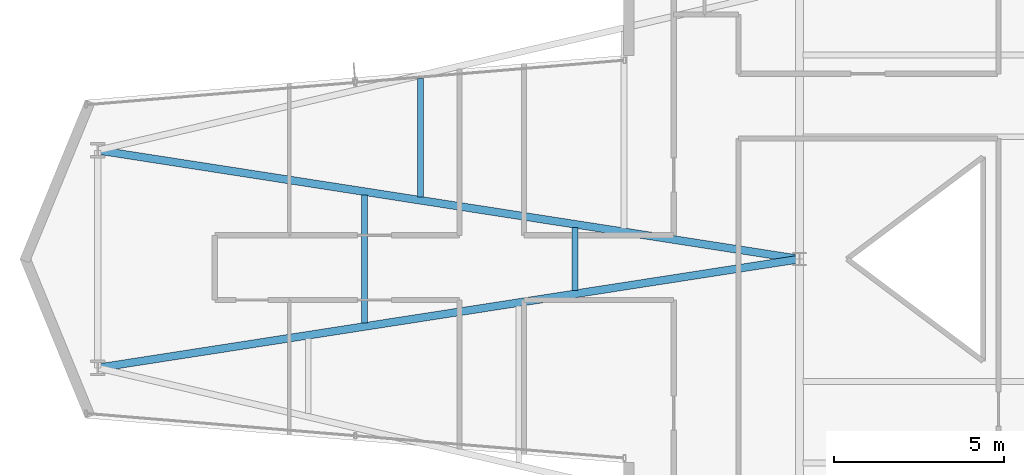
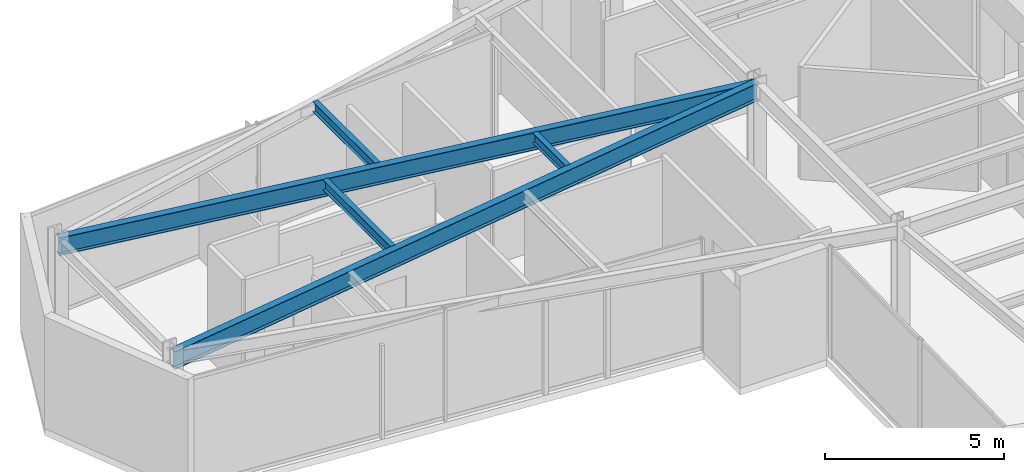
# One storey, part 7 of 25: 5 beams.
"""IFC4 building model written with IfcOpenShell, lengths in metres."""

from ifc_helpers import new_model, si_unit, direction, frame, origin, origin_2d, place, context, subcontext, project, spatial, i_section, extrude, material, material_profile, profile_set, type_object, element, save


model = new_model("IFC4")

# Units and contexts
model_context = context("Model", 3, precision=1e-05, world=origin(), true_north=direction((0.0, 1.0)))
body_context = subcontext(model_context, "Body", "Model", "MODEL_VIEW")
ifc_project = project(units=[si_unit("LENGTHUNIT", "METRE"), si_unit("AREAUNIT", "SQUARE_METRE"), si_unit("VOLUMEUNIT", "CUBIC_METRE"), si_unit("PLANEANGLEUNIT", "RADIAN"), si_unit("MASSUNIT", "GRAM", prefix="KILO")], contexts=[model_context])

# Site, building, storey
site_placement = place(None, origin())
site = spatial("IfcSite", under=ifc_project, at=site_placement, CompositionType="ELEMENT")
building_placement = place(site_placement, origin())
building = spatial("IfcBuilding", under=site, at=building_placement, Name="Veymaron Broadcast Tower", CompositionType="ELEMENT")
storey_placement = place(building_placement, frame((0.0, 0.0, 116.85009765625)))
storey = spatial("IfcBuildingStorey", under=building, at=storey_placement, Name="L26", CompositionType="ELEMENT", Elevation=116.85009765625)

# Beams
ifc_material = material(Name="Structural steel ASTM A992 Gr 50", Category="steel")
ifc_material_profile_1 = material_profile(ifc_material, i_section(OverallWidth=0.22802734375, OverallDepth=0.60791015625, WebThickness=0.01123046875, FlangeThickness=0.017333984375, at=origin_2d()), Name="W610X113")
ifc_profile_set_1 = profile_set([ifc_material_profile_1], Name="Structural steel ASTM A992 Gr 50")
beam_type_1 = type_object("IfcBeamType", Name="BM-FG2", PredefinedType="BEAM", material=ifc_profile_set_1)
for number, where, z_axis, x_axis, name in (
    (1, (10.56005859375, 20.800048828125, 3.505859375), (0.988194140861, 0.15320685353, 0.0), (-0.15320685353, 0.988194140861, 0.0), "L26 primary structural floor girder"),
    (2, (10.56005859375, 27.199951171875, 3.505859375), (0.988194140861, -0.15320685353, 0.0), (0.15320685353, 0.988194140861, 0.0), "L26 primary structural floor girder"),
):
    element("IfcBeam", number, at=place(storey_placement, frame(where, z_axis=z_axis, x_axis=x_axis)), inside=storey, type_object=beam_type_1, Name=name, PredefinedType="BEAM", context=body_context, shape_type="SweptSolid", body=[
        extrude(i_section(OverallWidth=0.22802734375, OverallDepth=0.60791015625, WebThickness=0.01123046875, FlangeThickness=0.017333984375, at=origin_2d()), origin(), (0.0, 0.0, 1.0), 20.886474609375),
    ])
ifc_material_profile_2 = material_profile(ifc_material, i_section(OverallWidth=0.1708984375, OverallDepth=0.35498046875, WebThickness=0.007080078125, FlangeThickness=0.01171875, at=origin_2d()), Name="W360X51")
ifc_profile_set_2 = profile_set([ifc_material_profile_2], Name="Structural steel ASTM A992 Gr 50")
beam_type_2 = type_object("IfcBeamType", Name="BM-JS2", PredefinedType="JOIST", material=ifc_profile_set_2)
beam_1_placement = place(storey_placement, frame((18.4033203125, 22.115966796875, 3.63232421875), z_axis=(0.0, 1.0, 0.0), x_axis=(-1.0, 0.0, 0.0)))
element("IfcBeam", 3, at=beam_1_placement, inside=storey, type_object=beam_type_2, Name="L26 Arm-A secondary joist 1M", PredefinedType="JOIST", context=body_context, shape_type="SweptSolid", body=[
    extrude(i_section(OverallWidth=0.1708984375, OverallDepth=0.35498046875, WebThickness=0.007080078125, FlangeThickness=0.01171875, at=origin_2d()), origin(), (0.0, 0.0, 1.0), 3.76806640625),
])
beam_2_placement = place(storey_placement, frame((20.054443359375, 25.827880859375, 3.63232421875), z_axis=(0.0, 1.0, 0.0), x_axis=(-1.0, 0.0, 0.0)))
element("IfcBeam", 4, at=beam_2_placement, inside=storey, type_object=beam_type_2, Name="L26 Arm-A secondary joist 1N", PredefinedType="JOIST", context=body_context, shape_type="SweptSolid", body=[
    extrude(i_section(OverallWidth=0.1708984375, OverallDepth=0.35498046875, WebThickness=0.007080078125, FlangeThickness=0.01171875, at=origin_2d()), origin(), (0.0, 0.0, 1.0), 3.480224609375),
])
beam_3_placement = place(storey_placement, frame((24.59521484375, 23.075927734375, 3.63232421875), z_axis=(0.0, 1.0, 0.0), x_axis=(-1.0, 0.0, 0.0)))
element("IfcBeam", 5, at=beam_3_placement, inside=storey, type_object=beam_type_2, Name="L26 Arm-A secondary joist 2M", PredefinedType="JOIST", context=body_context, shape_type="SweptSolid", body=[
    extrude(i_section(OverallWidth=0.1708984375, OverallDepth=0.35498046875, WebThickness=0.007080078125, FlangeThickness=0.01171875, at=origin_2d()), origin(), (0.0, 0.0, 1.0), 1.84814453125),
])

save(model, "model.ifc")
